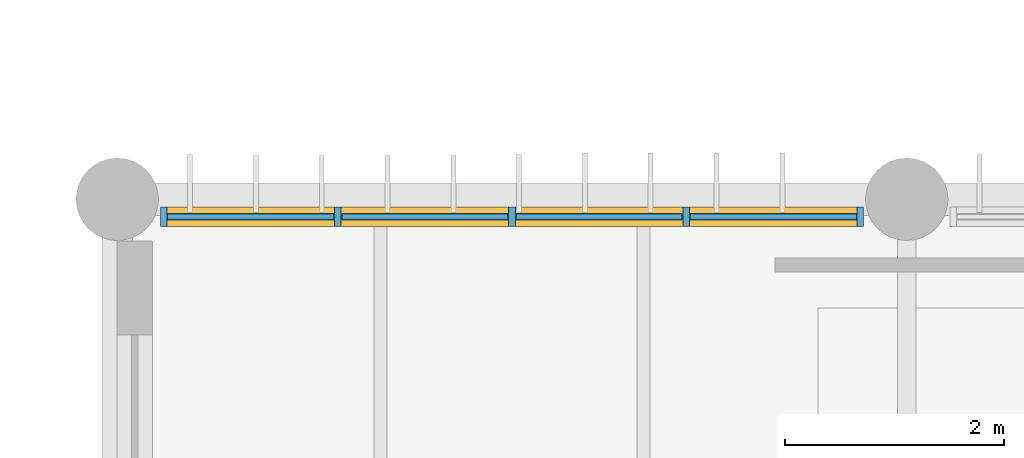
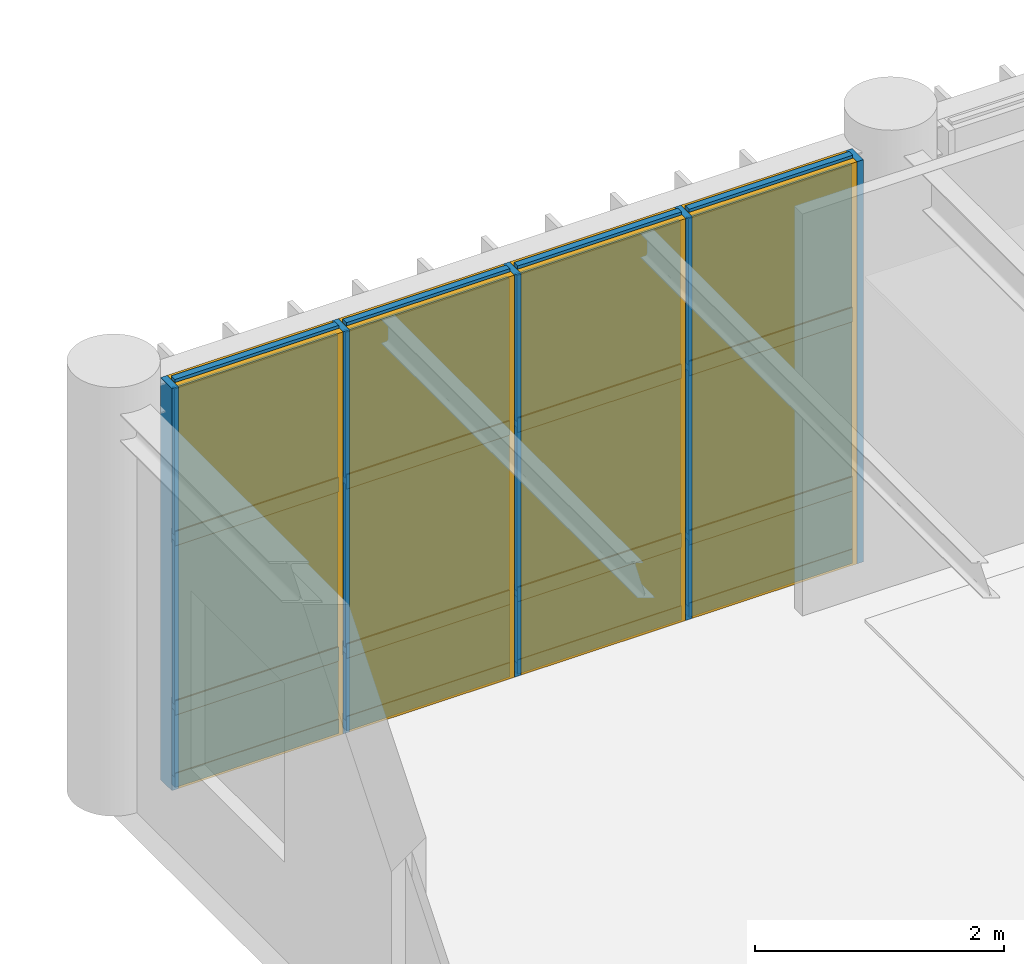
# One storey, part 63 of 122: 21 members, 12 plates, 1 curtain wall.
"""IFC4 building model written with IfcOpenShell, lengths in metres."""

from ifc_helpers import new_model, si_unit, direction, frame, frame_2d, origin, origin_2d, place, context, subcontext, project, spatial, rectangle, extrude, material, layer, layer_set, material_profile, profile_set, type_object, element, aggregate, save


model = new_model("IFC4")

# Units and contexts
model_context = context("Model", 3, precision=1e-05, world=origin(), true_north=direction((0.0, 1.0)))
body_context = subcontext(model_context, "Body", "Model", "MODEL_VIEW")
ifc_project = project(units=[si_unit("LENGTHUNIT", "METRE"), si_unit("AREAUNIT", "SQUARE_METRE"), si_unit("VOLUMEUNIT", "CUBIC_METRE"), si_unit("PLANEANGLEUNIT", "RADIAN"), si_unit("MASSUNIT", "GRAM", prefix="KILO")], contexts=[model_context])

# Member
ifc_material_1 = material(Name="Anodised Bronze Aluminium 6063-T6", Category="aluminium")
ifc_material_profile_1 = material_profile(ifc_material_1, rectangle(XDim=0.06005859375, YDim=0.179931640625, at=origin_2d()), Name="ALU MULLION 60x180")
ifc_profile_set_1 = profile_set([ifc_material_profile_1], Name="Anodised Bronze Aluminium 6063-T6")
member_type_1 = type_object("IfcMemberType", Name="Curtain-Wall Primary Mullion 60x180", PredefinedType="MULLION", material=ifc_profile_set_1)
site_placement = place(None, origin())
building_placement = place(site_placement, origin())
storey_placement = place(building_placement, frame((0.0, 0.0, 4.800048828125)))
member_1_placement = place(storey_placement, frame((36.425048828125, 30.0400390625, 0.0), z_axis=(0.0, 0.0, 1.0), x_axis=(1.0, 0.0, 0.0)))
member_1 = element("IfcMember", 1, at=member_1_placement, type_object=member_type_1, Name="Mullion CWM-01 CW-V5-NRET-W-L01-B1-M01", PredefinedType="MULLION", context=body_context, shape_type="SweptSolid", body=[
    extrude(rectangle(XDim=0.06005859375, YDim=0.179931640625, at=origin_2d()), origin(), (0.0, 0.0, 1.0), 3.93994140625),
])

member_2_placement = place(storey_placement, frame((38.012451171875, 30.0400390625, 0.0), z_axis=(0.0, 0.0, 1.0), x_axis=(1.0, 0.0, 0.0)))
member_2 = element("IfcMember", 2, at=member_2_placement, type_object=member_type_1, Name="Mullion CWM-01 CW-V5-NRET-W-L01-B1-M02", PredefinedType="MULLION", context=body_context, shape_type="SweptSolid", body=[
    extrude(rectangle(XDim=0.06005859375, YDim=0.179931640625, at=origin_2d()), origin(), (0.0, 0.0, 1.0), 3.93994140625),
])

member_3_placement = place(storey_placement, frame((39.60009765625, 30.0400390625, 0.0), z_axis=(0.0, 0.0, 1.0), x_axis=(1.0, 0.0, 0.0)))
member_3 = element("IfcMember", 3, at=member_3_placement, type_object=member_type_1, Name="Mullion CWM-01 CW-V5-NRET-W-L01-B1-M03", PredefinedType="MULLION", context=body_context, shape_type="SweptSolid", body=[
    extrude(rectangle(XDim=0.06005859375, YDim=0.179931640625, at=origin_2d()), origin(), (0.0, 0.0, 1.0), 3.93994140625),
])

member_4_placement = place(storey_placement, frame((41.1875, 30.0400390625, 0.0), z_axis=(0.0, 0.0, 1.0), x_axis=(1.0, 0.0, 0.0)))
member_4 = element("IfcMember", 4, at=member_4_placement, type_object=member_type_1, Name="Mullion CWM-01 CW-V5-NRET-W-L01-B1-M04", PredefinedType="MULLION", context=body_context, shape_type="SweptSolid", body=[
    extrude(rectangle(XDim=0.06005859375, YDim=0.179931640625, at=origin_2d()), origin(), (0.0, 0.0, 1.0), 3.93994140625),
])

member_5_placement = place(storey_placement, frame((42.77490234375, 30.0400390625, 0.0), z_axis=(0.0, 0.0, 1.0), x_axis=(1.0, 0.0, 0.0)))
member_5 = element("IfcMember", 5, at=member_5_placement, type_object=member_type_1, Name="Mullion CWM-01 CW-V5-NRET-W-L01-B1-M05", PredefinedType="MULLION", context=body_context, shape_type="SweptSolid", body=[
    extrude(rectangle(XDim=0.06005859375, YDim=0.179931640625, at=origin_2d()), origin(), (0.0, 0.0, 1.0), 3.93994140625),
])

ifc_material_profile_2 = material_profile(ifc_material_1, rectangle(XDim=0.06005859375, YDim=0.139892578125, at=origin_2d()), Name="ALU TRANSOM 60x140")
ifc_profile_set_2 = profile_set([ifc_material_profile_2], Name="Anodised Bronze Aluminium 6063-T6")
member_type_2 = type_object("IfcMemberType", Name="Curtain-Wall Transom 60x140", PredefinedType="USERDEFINED", material=ifc_profile_set_2)
member_6_placement = place(storey_placement, frame((36.4599609375, 30.0400390625, 0.0400390625), z_axis=(1.0, 0.0, 0.0), x_axis=(0.0, 1.0, 0.0)))
member_6 = element("IfcMember", 6, at=member_6_placement, type_object=member_type_2, Name="Transom CWT-01 CW-V5-NRET-W-L01-B1-T01.1", ObjectType="TRANSOM", PredefinedType="USERDEFINED", context=body_context, shape_type="SweptSolid", body=[
    extrude(rectangle(XDim=0.06005859375, YDim=0.139892578125, at=origin_2d()), origin(), (0.0, 0.0, 1.0), 1.517578125),
])

member_7_placement = place(storey_placement, frame((36.4599609375, 30.0400390625, 0.75), z_axis=(1.0, 0.0, 0.0), x_axis=(0.0, 1.0, 0.0)))
member_7 = element("IfcMember", 7, at=member_7_placement, type_object=member_type_2, Name="Transom CWT-01 CW-V5-NRET-W-L01-B1-T01.2", ObjectType="TRANSOM", PredefinedType="USERDEFINED", context=body_context, shape_type="SweptSolid", body=[
    extrude(rectangle(XDim=0.06005859375, YDim=0.139892578125, at=origin_2d()), origin(), (0.0, 0.0, 1.0), 1.517578125),
])

member_8_placement = place(storey_placement, frame((36.4599609375, 30.0400390625, 2.40869140625), z_axis=(1.0, 0.0, 0.0), x_axis=(0.0, 1.0, 0.0)))
member_8 = element("IfcMember", 8, at=member_8_placement, type_object=member_type_2, Name="Transom CWT-01 CW-V5-NRET-W-L01-B1-T01.3", ObjectType="TRANSOM", PredefinedType="USERDEFINED", context=body_context, shape_type="SweptSolid", body=[
    extrude(rectangle(XDim=0.06005859375, YDim=0.139892578125, at=origin_2d()), origin(), (0.0, 0.0, 1.0), 1.517578125),
])

member_9_placement = place(storey_placement, frame((36.4599609375, 30.0400390625, 3.89990234375), z_axis=(1.0, 0.0, 0.0), x_axis=(0.0, 1.0, 0.0)))
member_9 = element("IfcMember", 9, at=member_9_placement, type_object=member_type_2, Name="Transom CWT-01 CW-V5-NRET-W-L01-B1-T01.4", ObjectType="TRANSOM", PredefinedType="USERDEFINED", context=body_context, shape_type="SweptSolid", body=[
    extrude(rectangle(XDim=0.06005859375, YDim=0.139892578125, at=origin_2d()), origin(), (0.0, 0.0, 1.0), 1.517578125),
])

member_10_placement = place(storey_placement, frame((38.047607421875, 30.0400390625, 0.0400390625), z_axis=(1.0, 0.0, 0.0), x_axis=(0.0, 1.0, 0.0)))
member_10 = element("IfcMember", 10, at=member_10_placement, type_object=member_type_2, Name="Transom CWT-01 CW-V5-NRET-W-L01-B1-T02.1", ObjectType="TRANSOM", PredefinedType="USERDEFINED", context=body_context, shape_type="SweptSolid", body=[
    extrude(rectangle(XDim=0.06005859375, YDim=0.139892578125, at=origin_2d()), origin(), (0.0, 0.0, 1.0), 1.517333984375),
])

member_11_placement = place(storey_placement, frame((38.047607421875, 30.0400390625, 0.75), z_axis=(1.0, 0.0, 0.0), x_axis=(0.0, 1.0, 0.0)))
member_11 = element("IfcMember", 11, at=member_11_placement, type_object=member_type_2, Name="Transom CWT-01 CW-V5-NRET-W-L01-B1-T02.2", ObjectType="TRANSOM", PredefinedType="USERDEFINED", context=body_context, shape_type="SweptSolid", body=[
    extrude(rectangle(XDim=0.06005859375, YDim=0.139892578125, at=origin_2d()), origin(), (0.0, 0.0, 1.0), 1.517333984375),
])

member_12_placement = place(storey_placement, frame((38.047607421875, 30.0400390625, 2.40869140625), z_axis=(1.0, 0.0, 0.0), x_axis=(0.0, 1.0, 0.0)))
member_12 = element("IfcMember", 12, at=member_12_placement, type_object=member_type_2, Name="Transom CWT-01 CW-V5-NRET-W-L01-B1-T02.3", ObjectType="TRANSOM", PredefinedType="USERDEFINED", context=body_context, shape_type="SweptSolid", body=[
    extrude(rectangle(XDim=0.06005859375, YDim=0.139892578125, at=origin_2d()), origin(), (0.0, 0.0, 1.0), 1.517333984375),
])

member_13_placement = place(storey_placement, frame((38.047607421875, 30.0400390625, 3.89990234375), z_axis=(1.0, 0.0, 0.0), x_axis=(0.0, 1.0, 0.0)))
member_13 = element("IfcMember", 13, at=member_13_placement, type_object=member_type_2, Name="Transom CWT-01 CW-V5-NRET-W-L01-B1-T02.4", ObjectType="TRANSOM", PredefinedType="USERDEFINED", context=body_context, shape_type="SweptSolid", body=[
    extrude(rectangle(XDim=0.06005859375, YDim=0.139892578125, at=origin_2d()), origin(), (0.0, 0.0, 1.0), 1.517333984375),
])

member_14_placement = place(storey_placement, frame((39.635009765625, 30.0400390625, 0.0400390625), z_axis=(1.0, 0.0, 0.0), x_axis=(0.0, 1.0, 0.0)))
member_14 = element("IfcMember", 14, at=member_14_placement, type_object=member_type_2, Name="Transom CWT-01 CW-V5-NRET-W-L01-B1-T03.1", ObjectType="TRANSOM", PredefinedType="USERDEFINED", context=body_context, shape_type="SweptSolid", body=[
    extrude(rectangle(XDim=0.06005859375, YDim=0.139892578125, at=origin_2d()), origin(), (0.0, 0.0, 1.0), 1.517578125),
])

member_15_placement = place(storey_placement, frame((39.635009765625, 30.0400390625, 0.75), z_axis=(1.0, 0.0, 0.0), x_axis=(0.0, 1.0, 0.0)))
member_15 = element("IfcMember", 15, at=member_15_placement, type_object=member_type_2, Name="Transom CWT-01 CW-V5-NRET-W-L01-B1-T03.2", ObjectType="TRANSOM", PredefinedType="USERDEFINED", context=body_context, shape_type="SweptSolid", body=[
    extrude(rectangle(XDim=0.06005859375, YDim=0.139892578125, at=origin_2d()), origin(), (0.0, 0.0, 1.0), 1.517578125),
])

member_16_placement = place(storey_placement, frame((39.635009765625, 30.0400390625, 2.40869140625), z_axis=(1.0, 0.0, 0.0), x_axis=(0.0, 1.0, 0.0)))
member_16 = element("IfcMember", 16, at=member_16_placement, type_object=member_type_2, Name="Transom CWT-01 CW-V5-NRET-W-L01-B1-T03.3", ObjectType="TRANSOM", PredefinedType="USERDEFINED", context=body_context, shape_type="SweptSolid", body=[
    extrude(rectangle(XDim=0.06005859375, YDim=0.139892578125, at=origin_2d()), origin(), (0.0, 0.0, 1.0), 1.517578125),
])

member_17_placement = place(storey_placement, frame((39.635009765625, 30.0400390625, 3.89990234375), z_axis=(1.0, 0.0, 0.0), x_axis=(0.0, 1.0, 0.0)))
member_17 = element("IfcMember", 17, at=member_17_placement, type_object=member_type_2, Name="Transom CWT-01 CW-V5-NRET-W-L01-B1-T03.4", ObjectType="TRANSOM", PredefinedType="USERDEFINED", context=body_context, shape_type="SweptSolid", body=[
    extrude(rectangle(XDim=0.06005859375, YDim=0.139892578125, at=origin_2d()), origin(), (0.0, 0.0, 1.0), 1.517578125),
])

member_18_placement = place(storey_placement, frame((41.222412109375, 30.0400390625, 0.0400390625), z_axis=(1.0, 0.0, 0.0), x_axis=(0.0, 1.0, 0.0)))
member_18 = element("IfcMember", 18, at=member_18_placement, type_object=member_type_2, Name="Transom CWT-01 CW-V5-NRET-W-L01-B1-T04.1", ObjectType="TRANSOM", PredefinedType="USERDEFINED", context=body_context, shape_type="SweptSolid", body=[
    extrude(rectangle(XDim=0.06005859375, YDim=0.139892578125, at=origin_2d()), origin(), (0.0, 0.0, 1.0), 1.517578125),
])

member_19_placement = place(storey_placement, frame((41.222412109375, 30.0400390625, 0.75), z_axis=(1.0, 0.0, 0.0), x_axis=(0.0, 1.0, 0.0)))
member_19 = element("IfcMember", 19, at=member_19_placement, type_object=member_type_2, Name="Transom CWT-01 CW-V5-NRET-W-L01-B1-T04.2", ObjectType="TRANSOM", PredefinedType="USERDEFINED", context=body_context, shape_type="SweptSolid", body=[
    extrude(rectangle(XDim=0.06005859375, YDim=0.139892578125, at=origin_2d()), origin(), (0.0, 0.0, 1.0), 1.517578125),
])

member_20_placement = place(storey_placement, frame((41.222412109375, 30.0400390625, 2.40869140625), z_axis=(1.0, 0.0, 0.0), x_axis=(0.0, 1.0, 0.0)))
member_20 = element("IfcMember", 20, at=member_20_placement, type_object=member_type_2, Name="Transom CWT-01 CW-V5-NRET-W-L01-B1-T04.3", ObjectType="TRANSOM", PredefinedType="USERDEFINED", context=body_context, shape_type="SweptSolid", body=[
    extrude(rectangle(XDim=0.06005859375, YDim=0.139892578125, at=origin_2d()), origin(), (0.0, 0.0, 1.0), 1.517578125),
])

member_21_placement = place(storey_placement, frame((41.222412109375, 30.0400390625, 3.89990234375), z_axis=(1.0, 0.0, 0.0), x_axis=(0.0, 1.0, 0.0)))
member_21 = element("IfcMember", 21, at=member_21_placement, type_object=member_type_2, Name="Transom CWT-01 CW-V5-NRET-W-L01-B1-T04.4", ObjectType="TRANSOM", PredefinedType="USERDEFINED", context=body_context, shape_type="SweptSolid", body=[
    extrude(rectangle(XDim=0.06005859375, YDim=0.139892578125, at=origin_2d()), origin(), (0.0, 0.0, 1.0), 1.517578125),
])

# Plate
ifc_material_2 = material(Name="Insulated Bronze Aluminium Spandrel Panel", Category="aluminium")
ifc_layer_1 = layer(ifc_material_2, 0.050048828125, Name="Insulated Bronze Aluminium Spandrel Panel")
ifc_layer_set_1 = layer_set([ifc_layer_1], Name="Insulated Bronze Aluminium Spandrel Panel")
plate_type_1 = type_object("IfcPlateType", Name="Insulated Anodised Aluminium Spandrel Cassette 50", PredefinedType="CURTAIN_PANEL", material=ifc_layer_set_1)
plate_1_placement = place(storey_placement, frame((37.21875, 30.0400390625, 0.070068359375), z_axis=(0.0, 0.0, 1.0), x_axis=(1.0, 0.0, 0.0)))
plate_1 = element("IfcPlate", 22, at=plate_1_placement, type_object=plate_type_1, Name="Curtain Panel CWP-03 CW-V5-NRET-W-L01-B1-P01.1", PredefinedType="CURTAIN_PANEL", context=body_context, shape_type="SweptSolid", body=[
    extrude(rectangle(XDim=1.517578125, YDim=0.050048828125, at=origin_2d()), origin(), (0.0, 0.0, 1.0), 0.64990234375),
])

plate_2_placement = place(storey_placement, frame((38.80615234375, 30.0400390625, 0.070068359375), z_axis=(0.0, 0.0, 1.0), x_axis=(1.0, 0.0, 0.0)))
plate_2 = element("IfcPlate", 23, at=plate_2_placement, type_object=plate_type_1, Name="Curtain Panel CWP-03 CW-V5-NRET-W-L01-B1-P02.1", PredefinedType="CURTAIN_PANEL", context=body_context, shape_type="SweptSolid", body=[
    extrude(rectangle(XDim=1.517578125, YDim=0.050048828125, at=origin_2d()), origin(), (0.0, 0.0, 1.0), 0.64990234375),
])

plate_3_placement = place(storey_placement, frame((40.393798828125, 30.0400390625, 0.070068359375), z_axis=(0.0, 0.0, 1.0), x_axis=(1.0, 0.0, 0.0)))
plate_3 = element("IfcPlate", 24, at=plate_3_placement, type_object=plate_type_1, Name="Curtain Panel CWP-03 CW-V5-NRET-W-L01-B1-P03.1", PredefinedType="CURTAIN_PANEL", context=body_context, shape_type="SweptSolid", body=[
    extrude(rectangle(XDim=1.517578125, YDim=0.050048828125, at=origin_2d()), origin(), (0.0, 0.0, 1.0), 0.64990234375),
])

plate_4_placement = place(storey_placement, frame((41.981201171875, 30.0400390625, 0.070068359375), z_axis=(0.0, 0.0, 1.0), x_axis=(1.0, 0.0, 0.0)))
plate_4 = element("IfcPlate", 25, at=plate_4_placement, type_object=plate_type_1, Name="Curtain Panel CWP-03 CW-V5-NRET-W-L01-B1-P04.1", PredefinedType="CURTAIN_PANEL", context=body_context, shape_type="SweptSolid", body=[
    extrude(rectangle(XDim=1.517578125, YDim=0.050048828125, at=origin_2d()), origin(), (0.0, 0.0, 1.0), 0.64990234375),
])

ifc_material_3 = material(Name="Solar-Control Tempered Double Glazing", Category="glass")
ifc_layer_2 = layer(ifc_material_3, 0.0380859375, Name="Solar-Control Tempered Double Glazing")
ifc_layer_set_2 = layer_set([ifc_layer_2], Name="Solar-Control Tempered Double Glazing")
plate_type_2 = type_object("IfcPlateType", Name="Solar-Control Vision Glazing Unit 38", PredefinedType="CURTAIN_PANEL", material=ifc_layer_set_2)
plate_5_placement = place(storey_placement, frame((37.21875, 30.0400390625, 0.77978515625), z_axis=(0.0, 0.0, 1.0), x_axis=(1.0, 0.0, 0.0)))
plate_5 = element("IfcPlate", 26, at=plate_5_placement, type_object=plate_type_2, Name="Curtain Panel CWP-02 CW-V5-NRET-W-L01-B1-P01.2", PredefinedType="CURTAIN_PANEL", context=body_context, shape_type="SweptSolid", body=[
    extrude(rectangle(XDim=1.517578125, YDim=0.0380859375, at=origin_2d()), origin(), (0.0, 0.0, 1.0), 1.598876953125),
])

plate_6_placement = place(storey_placement, frame((37.21875, 30.0400390625, 2.438720703125), z_axis=(0.0, 0.0, 1.0), x_axis=(1.0, 0.0, 0.0)))
plate_6 = element("IfcPlate", 27, at=plate_6_placement, type_object=plate_type_2, Name="Curtain Panel CWP-02 CW-V5-NRET-W-L01-B1-P01.3", PredefinedType="CURTAIN_PANEL", context=body_context, shape_type="SweptSolid", body=[
    extrude(rectangle(XDim=1.517578125, YDim=0.0380859375, at=origin_2d()), origin(), (0.0, 0.0, 1.0), 1.43115234375),
])

plate_7_placement = place(storey_placement, frame((38.80615234375, 30.0400390625, 0.77978515625), z_axis=(0.0, 0.0, 1.0), x_axis=(1.0, 0.0, 0.0)))
plate_7 = element("IfcPlate", 28, at=plate_7_placement, type_object=plate_type_2, Name="Curtain Panel CWP-02 CW-V5-NRET-W-L01-B1-P02.2", PredefinedType="CURTAIN_PANEL", context=body_context, shape_type="SweptSolid", body=[
    extrude(rectangle(XDim=1.517578125, YDim=0.0380859375, at=origin_2d()), origin(), (0.0, 0.0, 1.0), 1.598876953125),
])

plate_8_placement = place(storey_placement, frame((38.80615234375, 30.0400390625, 2.438720703125), z_axis=(0.0, 0.0, 1.0), x_axis=(1.0, 0.0, 0.0)))
plate_8 = element("IfcPlate", 29, at=plate_8_placement, type_object=plate_type_2, Name="Curtain Panel CWP-02 CW-V5-NRET-W-L01-B1-P02.3", PredefinedType="CURTAIN_PANEL", context=body_context, shape_type="SweptSolid", body=[
    extrude(rectangle(XDim=1.517578125, YDim=0.0380859375, at=origin_2d()), origin(), (0.0, 0.0, 1.0), 1.43115234375),
])

plate_9_placement = place(storey_placement, frame((40.393798828125, 30.0400390625, 0.77978515625), z_axis=(0.0, 0.0, 1.0), x_axis=(1.0, 0.0, 0.0)))
plate_9 = element("IfcPlate", 30, at=plate_9_placement, type_object=plate_type_2, Name="Curtain Panel CWP-02 CW-V5-NRET-W-L01-B1-P03.2", PredefinedType="CURTAIN_PANEL", context=body_context, shape_type="SweptSolid", body=[
    extrude(rectangle(XDim=1.517578125, YDim=0.0380859375, at=origin_2d()), origin(), (0.0, 0.0, 1.0), 1.598876953125),
])

plate_10_placement = place(storey_placement, frame((40.393798828125, 30.0400390625, 2.438720703125), z_axis=(0.0, 0.0, 1.0), x_axis=(1.0, 0.0, 0.0)))
plate_10 = element("IfcPlate", 31, at=plate_10_placement, type_object=plate_type_2, Name="Curtain Panel CWP-02 CW-V5-NRET-W-L01-B1-P03.3", PredefinedType="CURTAIN_PANEL", context=body_context, shape_type="SweptSolid", body=[
    extrude(rectangle(XDim=1.517578125, YDim=0.0380859375, at=origin_2d()), origin(), (0.0, 0.0, 1.0), 1.43115234375),
])

plate_11_placement = place(storey_placement, frame((41.981201171875, 30.0400390625, 0.77978515625), z_axis=(0.0, 0.0, 1.0), x_axis=(1.0, 0.0, 0.0)))
plate_11 = element("IfcPlate", 32, at=plate_11_placement, type_object=plate_type_2, Name="Curtain Panel CWP-02 CW-V5-NRET-W-L01-B1-P04.2", PredefinedType="CURTAIN_PANEL", context=body_context, shape_type="SweptSolid", body=[
    extrude(rectangle(XDim=1.517578125, YDim=0.0380859375, at=origin_2d()), origin(), (0.0, 0.0, 1.0), 1.598876953125),
])

plate_12_placement = place(storey_placement, frame((41.981201171875, 30.0400390625, 2.438720703125), z_axis=(0.0, 0.0, 1.0), x_axis=(1.0, 0.0, 0.0)))
plate_12 = element("IfcPlate", 33, at=plate_12_placement, type_object=plate_type_2, Name="Curtain Panel CWP-02 CW-V5-NRET-W-L01-B1-P04.3", PredefinedType="CURTAIN_PANEL", context=body_context, shape_type="SweptSolid", body=[
    extrude(rectangle(XDim=1.517578125, YDim=0.0380859375, at=origin_2d()), origin(), (0.0, 0.0, 1.0), 1.43115234375),
])

# Site, building, storey
site = spatial("IfcSite", under=ifc_project, at=site_placement, CompositionType="ELEMENT")
building = spatial("IfcBuilding", under=site, at=building_placement, Name="Tazoul Stagehouse", CompositionType="ELEMENT")
storey = spatial("IfcBuildingStorey", under=building, at=storey_placement, Name="L01", CompositionType="ELEMENT", Elevation=4.800048828125)

# Curtain wall
curtain_wall_type = type_object("IfcCurtainWallType", Name="Foyer Clear Solar-Control Curtain Wall", PredefinedType="NOTDEFINED", material=ifc_material_1)
curtain_wall_placement = place(storey_placement, frame((36.425048828125, 30.0400390625, 0.0), z_axis=(0.0, 0.0, 1.0), x_axis=(1.0, 0.0, 0.0)))
curtain_wall = element("IfcCurtainWall", 34, at=curtain_wall_placement, inside=storey, type_object=curtain_wall_type, Name="L01 Curtain Wall CW-02 (CW-V5-NRET-W-L01-B1)", PredefinedType="NOTDEFINED", context=body_context, shape_type="SweptSolid", body=[
    extrude(rectangle(XDim=6.349853515625, YDim=0.179931640625, at=frame_2d((3.1748046875, 0.0))), origin(), (0.0, 0.0, 1.0), 3.93994140625),
])

aggregate(curtain_wall, [member_1, member_2, member_3, member_4, member_5, member_6, member_7, member_8, member_9, plate_1, plate_5, plate_6, member_10, member_11, member_12, member_13, plate_2, plate_7, plate_8, member_14, member_15, member_16, member_17, plate_3, plate_9, plate_10, member_18, member_19, member_20, member_21, plate_4, plate_11, plate_12])

save(model, "model.ifc")
